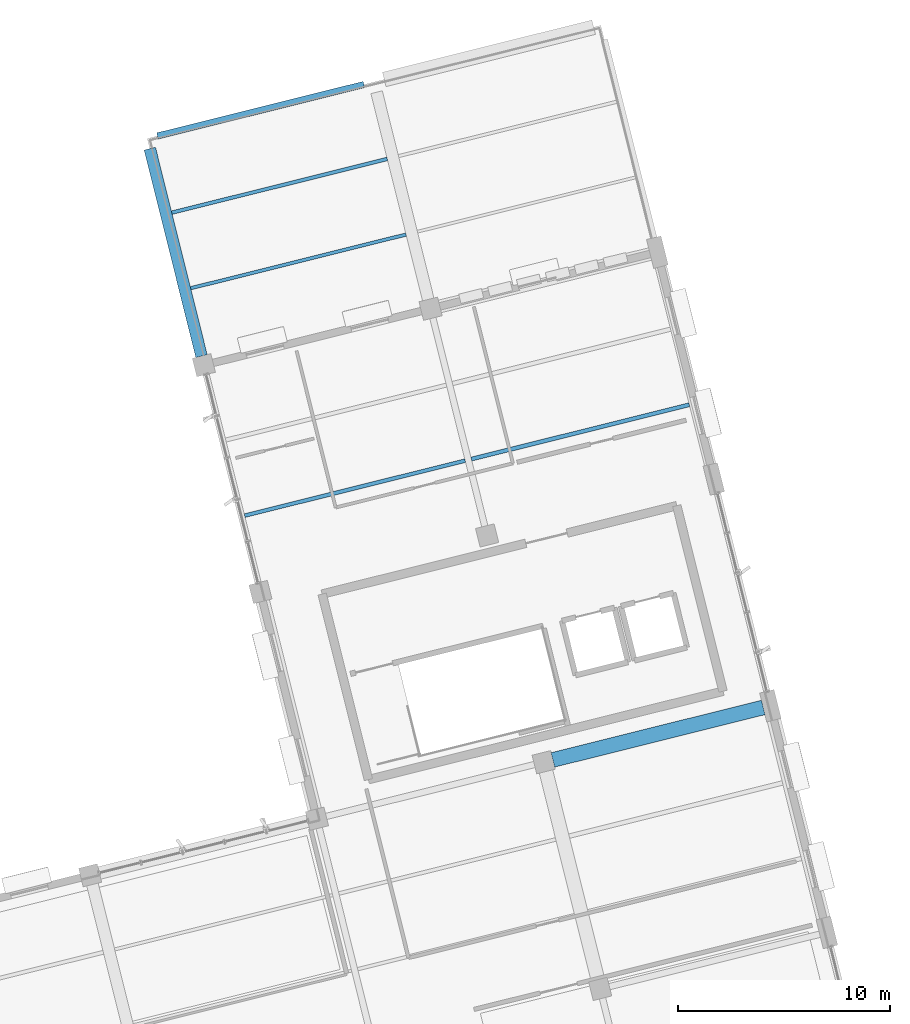
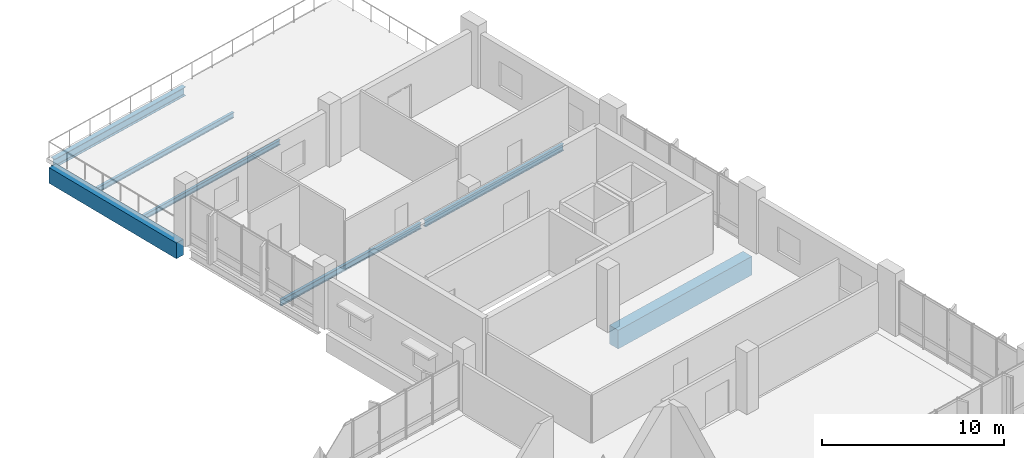
# One storey, part 15 of 22: 7 beams.
"""IFC4 building model written with IfcOpenShell, lengths in metres."""

from ifc_helpers import new_model, si_unit, direction, frame, origin, origin_2d, place, context, subcontext, project, spatial, rectangle, i_section, extrude, material, material_profile, profile_set, type_object, element, save


model = new_model("IFC4")

# Units and contexts
model_context = context("Model", 3, precision=1e-05, world=origin(), true_north=direction((0.0, 1.0)))
body_context = subcontext(model_context, "Body", "Model", "MODEL_VIEW")
ifc_project = project(units=[si_unit("LENGTHUNIT", "METRE"), si_unit("AREAUNIT", "SQUARE_METRE"), si_unit("VOLUMEUNIT", "CUBIC_METRE"), si_unit("PLANEANGLEUNIT", "RADIAN"), si_unit("MASSUNIT", "GRAM", prefix="KILO")], contexts=[model_context])

# Site, building, storey
site_placement = place(None, origin())
site = spatial("IfcSite", under=ifc_project, at=site_placement, CompositionType="ELEMENT")
building_placement = place(site_placement, origin())
building = spatial("IfcBuilding", under=site, at=building_placement, Name="Khorjan Park Terminus", CompositionType="ELEMENT")
storey_placement = place(building_placement, frame((0.0, 0.0, 24.6)))
storey = spatial("IfcBuildingStorey", under=building, at=storey_placement, Name="L05", CompositionType="ELEMENT", Elevation=24.6)

# Beams
ifc_material_1 = material(Name="Steel S355", Category="steel")
ifc_material_profile_1 = material_profile(ifc_material_1, i_section(OverallWidth=0.3, OverallDepth=0.59, WebThickness=0.013, FlangeThickness=0.025, FilletRadius=0.027, at=origin_2d()), Name="HEA 600")
ifc_profile_set_1 = profile_set([ifc_material_profile_1], Name="Steel S355")
beam_type_1 = type_object("IfcBeamType", Name="BM-HEA600", PredefinedType="BEAM", material=ifc_profile_set_1)
beam_1_placement = place(storey_placement, frame((195.8676, 66.1306, -0.555), z_axis=(0.970296854054, 0.241917372283, 0.0), x_axis=(-0.241917372283, 0.970296854054, 0.0)))
element("IfcBeam", 1, at=beam_1_placement, inside=storey, type_object=beam_type_1, Name="Primary skew-grid floor girder SB-A60 (L05)", PredefinedType="BEAM", context=body_context, shape_type="SweptSolid", body=[
    extrude(i_section(OverallWidth=0.3, OverallDepth=0.59, WebThickness=0.013, FlangeThickness=0.025, FilletRadius=0.027, at=origin_2d()), origin(), (0.0, 0.0, 1.0), 10.01),
])
ifc_material_2 = material(Name="Concrete C40/50", Category="concrete")
ifc_material_profile_2 = material_profile(ifc_material_2, rectangle(XDim=0.55, YDim=1.05, at=origin_2d()), Name="RC 550x1050")
ifc_profile_set_2 = profile_set([ifc_material_profile_2], Name="Concrete C40/50")
beam_type_2 = type_object("IfcBeamType", Name="BM-RC550x1050", PredefinedType="BEAM", material=ifc_profile_set_2)
beam_2_placement = place(storey_placement, frame((197.9408, 55.7694, -0.785), z_axis=(-0.241920438591, 0.970296089548, 0.0), x_axis=(-0.970296089548, -0.241920438591, 0.0)))
element("IfcBeam", 2, at=beam_2_placement, inside=storey, type_object=beam_type_2, Name="Primary skew-grid floor girder GB-105 (L05)", PredefinedType="BEAM", context=body_context, shape_type="SweptSolid", body=[
    extrude(rectangle(XDim=0.55, YDim=1.05, at=origin_2d()), origin(), (0.0, 0.0, 1.0), 10.0599),
])
ifc_material_profile_3 = material_profile(ifc_material_2, rectangle(XDim=0.7, YDim=1.25, at=origin_2d()), Name="RC 700x1250")
ifc_profile_set_3 = profile_set([ifc_material_profile_3], Name="Concrete C40/50")
beam_type_3 = type_object("IfcBeamType", Name="BM-RC700x1250", PredefinedType="BEAM", material=ifc_profile_set_3)
beam_3_placement = place(storey_placement, frame((214.4758, 36.7599, -0.955), z_axis=(0.970296133805, 0.241920261086, 0.0), x_axis=(-0.241920261086, 0.970296133805, 0.0)))
element("IfcBeam", 3, at=beam_3_placement, inside=storey, type_object=beam_type_3, Name="Primary skew-grid floor girder GB-125 (L05)", PredefinedType="BEAM", context=body_context, shape_type="SweptSolid", body=[
    extrude(rectangle(XDim=0.7, YDim=1.25, at=origin_2d()), origin(), (0.0, 0.0, 1.0), 10.21),
])
ifc_material_profile_4 = material_profile(ifc_material_1, i_section(OverallWidth=0.16, OverallDepth=0.33, WebThickness=0.0075, FlangeThickness=0.0115, FilletRadius=0.018, at=origin_2d()), Name="IPE 330")
ifc_profile_set_4 = profile_set([ifc_material_profile_4], Name="Steel S355")
beam_type_4 = type_object("IfcBeamType", Name="JS-IPE330", PredefinedType="JOIST", material=ifc_profile_set_4)
beam_4_placement = place(storey_placement, frame((197.4282, 58.9619, -0.425), z_axis=(0.970295416686, 0.241923137296, 0.0), x_axis=(-0.241923137296, 0.970295416686, 0.0)))
element("IfcBeam", 4, at=beam_4_placement, inside=storey, type_object=beam_type_4, Name="Secondary composite floor joist SJ-33 (L05)", PredefinedType="JOIST", context=body_context, shape_type="SweptSolid", body=[
    extrude(i_section(OverallWidth=0.16, OverallDepth=0.33, WebThickness=0.0075, FlangeThickness=0.0115, FilletRadius=0.018, at=origin_2d()), origin(), (0.0, 0.0, 1.0), 10.45),
])
ifc_material_profile_5 = material_profile(ifc_material_1, i_section(OverallWidth=0.17, OverallDepth=0.36, WebThickness=0.008, FlangeThickness=0.0127, FilletRadius=0.018, at=origin_2d()), Name="IPE 360")
ifc_profile_set_5 = profile_set([ifc_material_profile_5], Name="Steel S355")
beam_type_5 = type_object("IfcBeamType", Name="JS-IPE360", PredefinedType="JOIST", material=ifc_profile_set_5)
beam_5_placement = place(storey_placement, frame((196.5412, 62.5196, -0.44), z_axis=(0.970295416686, 0.241923137296, 0.0), x_axis=(-0.241923137296, 0.970295416686, 0.0)))
element("IfcBeam", 5, at=beam_5_placement, inside=storey, type_object=beam_type_5, Name="Secondary composite floor joist SJ-36 (L05)", PredefinedType="JOIST", context=body_context, shape_type="SweptSolid", body=[
    extrude(i_section(OverallWidth=0.17, OverallDepth=0.36, WebThickness=0.008, FlangeThickness=0.0127, FilletRadius=0.018, at=origin_2d()), origin(), (0.0, 0.0, 1.0), 10.45),
])
ifc_material_profile_6 = material_profile(ifc_material_1, i_section(OverallWidth=0.18, OverallDepth=0.4, WebThickness=0.0086, FlangeThickness=0.0135, FilletRadius=0.021, at=origin_2d()), Name="IPE 400")
ifc_profile_set_6 = profile_set([ifc_material_profile_6], Name="Steel S355")
beam_type_6 = type_object("IfcBeamType", Name="JS-IPE400", PredefinedType="JOIST", material=ifc_profile_set_6)
beam_6_placement = place(storey_placement, frame((199.9681, 48.2584, -0.53), z_axis=(0.970294591155, 0.241926448278, 0.0), x_axis=(-0.241926448278, 0.970294591155, 0.0)))
element("IfcBeam", 6, at=beam_6_placement, inside=storey, type_object=beam_type_6, Name="Secondary composite floor joist SJ-40 (L05)", PredefinedType="JOIST", context=body_context, shape_type="SweptSolid", body=[
    extrude(i_section(OverallWidth=0.18, OverallDepth=0.4, WebThickness=0.0086, FlangeThickness=0.0135, FilletRadius=0.021, at=origin_2d()), origin(), (0.0, 0.0, 1.0), 10.6999),
])
ifc_material_profile_7 = material_profile(ifc_material_1, i_section(OverallWidth=0.19, OverallDepth=0.45, WebThickness=0.0094, FlangeThickness=0.0146, FilletRadius=0.021, at=origin_2d()), Name="IPE 450")
ifc_profile_set_7 = profile_set([ifc_material_profile_7], Name="Steel S355")
beam_type_7 = type_object("IfcBeamType", Name="JS-IPE450", PredefinedType="JOIST", material=ifc_profile_set_7)
beam_7_placement = place(storey_placement, frame((210.6413, 50.9195, -0.555), z_axis=(0.970294165893, 0.241928153868, 0.0), x_axis=(-0.241928153868, 0.970294165893, 0.0)))
element("IfcBeam", 7, at=beam_7_placement, inside=storey, type_object=beam_type_7, Name="Secondary composite floor joist SJ-45 (L05)", PredefinedType="JOIST", context=body_context, shape_type="SweptSolid", body=[
    extrude(i_section(OverallWidth=0.19, OverallDepth=0.45, WebThickness=0.0094, FlangeThickness=0.0146, FilletRadius=0.021, at=origin_2d()), origin(), (0.0, 0.0, 1.0), 10.575),
])

save(model, "model.ifc")
